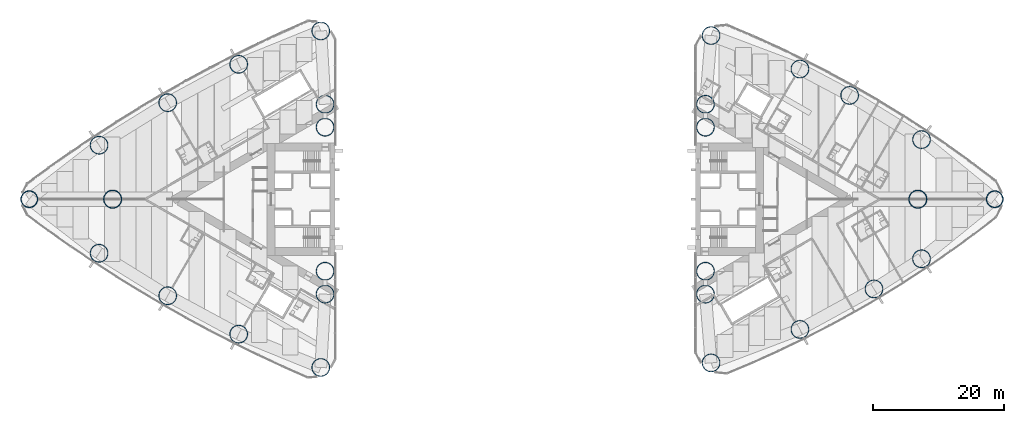
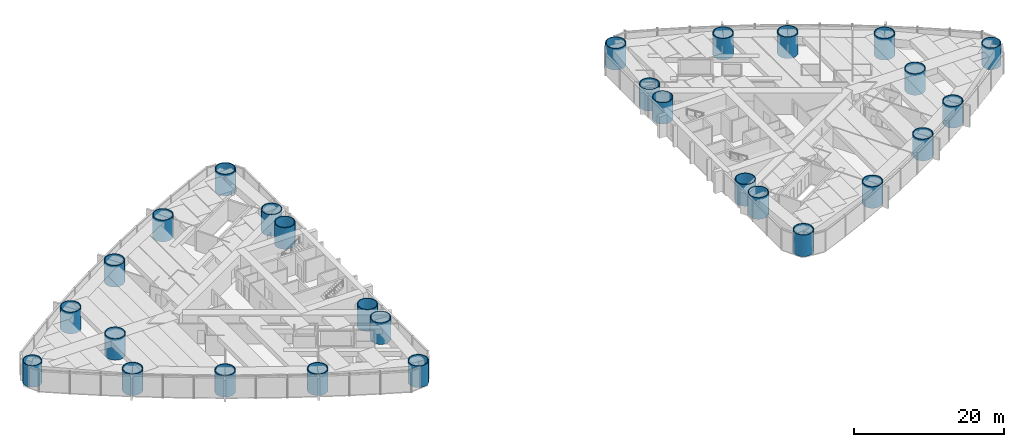
# One storey, part 1 of 19: 28 columns.
"""IFC4 building model written with IfcOpenShell, lengths in metres."""

from ifc_helpers import new_model, si_unit, direction, frame, origin, origin_2d, place, context, subcontext, project, spatial, hollow_circle, extrude, material, material_profile, profile_set, type_object, element, save


model = new_model("IFC4")

# Units and contexts
model_context = context("Model", 3, precision=1e-05, world=origin(), true_north=direction((0.0, 1.0)))
body_context = subcontext(model_context, "Body", "Model", "MODEL_VIEW")
ifc_project = project(units=[si_unit("LENGTHUNIT", "METRE"), si_unit("AREAUNIT", "SQUARE_METRE"), si_unit("VOLUMEUNIT", "CUBIC_METRE"), si_unit("PLANEANGLEUNIT", "RADIAN"), si_unit("MASSUNIT", "GRAM", prefix="KILO")], contexts=[model_context])

# Site, building, storey
site_placement = place(None, origin())
site = spatial("IfcSite", under=ifc_project, at=site_placement, CompositionType="ELEMENT")
building_placement = place(site_placement, origin())
building = spatial("IfcBuilding", under=site, at=building_placement, Name="Lancet Gate Hotel", CompositionType="ELEMENT")
storey_placement = place(building_placement, frame((0.0, 0.0, 21.5)))
storey = spatial("IfcBuildingStorey", under=building, at=storey_placement, Name="L04", CompositionType="ELEMENT", Elevation=21.5)

# Columns
ifc_material_1 = material(Name="Composite filled tube, grade 460 plate, grade 80/95 fill", Category="composite")
ifc_material_profile_1 = material_profile(ifc_material_1, hollow_circle(Radius=1.39990234375, WallThickness=0.10009765625, at=origin_2d()), Name="CHS 2800x100")
ifc_profile_set_1 = profile_set([ifc_material_profile_1], Name="Composite filled tube, grade 460 plate, grade 80/95 fill")
column_type_1 = type_object("IfcColumnType", Name="Apex column CFT CHS 2800x100", PredefinedType="COLUMN", material=ifc_profile_set_1)
for number, where, z_axis, x_axis, name in (
    (1, (-61.5, 0.0, 0.0), (0.0, 0.0, 1.0), (1.0, 0.0, 0.0), "T1 column AX L04"),
    (2, (61.5, 0.0, 0.0), (0.0, 0.0, 1.0), (1.0, 0.0, 0.0), "T2 column AX L04"),
):
    element("IfcColumn", number, at=place(storey_placement, frame(where, z_axis=z_axis, x_axis=x_axis)), inside=storey, type_object=column_type_1, Name=name, PredefinedType="COLUMN", context=body_context, shape_type="SweptSolid", body=[
        extrude(hollow_circle(Radius=1.39990234375, WallThickness=0.10009765625, at=origin_2d()), origin(), (0.0, 0.0, 1.0), 3.5),
    ])
ifc_material_2 = material(Name="Composite filled tube, grade 460 plate, grade 80/95 fill", Category="composite")
ifc_material_profile_2 = material_profile(ifc_material_2, hollow_circle(Radius=1.300048828125, WallThickness=0.10009765625, at=origin_2d()), Name="CHS 2600x100")
ifc_profile_set_2 = profile_set([ifc_material_profile_2], Name="Composite filled tube, grade 460 plate, grade 80/95 fill")
column_type_2 = type_object("IfcColumnType", Name="Apex corner column CFT CHS 2600x100", PredefinedType="COLUMN", material=ifc_profile_set_2)
for number, where, z_axis, x_axis, name in (
    (3, (-74.235107421875, 0.0, 0.0), (0.0, 0.0, 1.0), (1.0, 0.0, 0.0), "T1 column CA L04"),
    (4, (73.2392578125, 0.0, 0.0), (0.0, 0.0, 1.0), (1.0, 0.0, 0.0), "T2 column CA L04"),
):
    element("IfcColumn", number, at=place(storey_placement, frame(where, z_axis=z_axis, x_axis=x_axis)), inside=storey, type_object=column_type_2, Name=name, PredefinedType="COLUMN", context=body_context, shape_type="SweptSolid", body=[
        extrude(hollow_circle(Radius=1.300048828125, WallThickness=0.10009765625, at=origin_2d()), origin(), (0.0, 0.0, 1.0), 3.5),
    ])
ifc_material_3 = material(Name="Composite filled tube, grade 460 plate, grade 80/95 fill", Category="composite")
ifc_material_profile_3 = material_profile(ifc_material_3, hollow_circle(Radius=1.39990234375, WallThickness=0.1201171875, at=origin_2d()), Name="CHS 2800x120")
ifc_profile_set_3 = profile_set([ifc_material_profile_3], Name="Composite filled tube, grade 460 plate, grade 80/95 fill")
column_type_3 = type_object("IfcColumnType", Name="Perimeter column CFT CHS 2800x120", PredefinedType="COLUMN", material=ifc_profile_set_3)
for number, where, z_axis, x_axis, name in (
    (5, (-29.703369140625, -25.70263671875, 0.0), (0.0, 0.0, 1.0), (1.0, 0.0, 0.0), "T1 column CN L04"),
    (6, (-29.703369140625, 25.70263671875, 0.0), (0.0, 0.0, 1.0), (1.0, 0.0, 0.0), "T1 column CS L04"),
    (7, (-29.050048828125, -11.0, 0.0), (0.0, 0.0, 1.0), (1.0, 0.0, 0.0), "T1 column IN L04"),
    (8, (-29.050048828125, 11.0, 0.0), (0.0, 0.0, 1.0), (1.0, 0.0, 0.0), "T1 column IS L04"),
    (9, (-29.050048828125, 14.5, 0.0), (0.0, 0.0, 1.0), (1.0, 0.0, 0.0), "T1 column IT L04"),
    (10, (-29.050048828125, -14.5, 0.0), (0.0, 0.0, 1.0), (1.0, 0.0, 0.0), "T1 column JT L04"),
    (11, (-63.57177734375, -8.255126953125, 0.0), (0.0, 0.0, 1.0), (1.0, 0.0, 0.0), "T1 column ON1 L04"),
    (12, (-53.090087890625, -14.744873046875, 0.0), (0.0, 0.0, 1.0), (1.0, 0.0, 0.0), "T1 column ON2 L04"),
    (13, (-42.2451171875, -20.607421875, 0.0), (0.0, 0.0, 1.0), (1.0, 0.0, 0.0), "T1 column ON3 L04"),
    (14, (-42.2451171875, 20.607421875, 0.0), (0.0, 0.0, 1.0), (1.0, 0.0, 0.0), "T1 column OS1 L04"),
    (15, (-53.090087890625, 14.744873046875, 0.0), (0.0, 0.0, 1.0), (1.0, 0.0, 0.0), "T1 column OS2 L04"),
    (16, (-63.57177734375, 8.255126953125, 0.0), (0.0, 0.0, 1.0), (1.0, 0.0, 0.0), "T1 column OS3 L04"),
    (17, (29.9111328125, 25.00244140625, 0.0), (0.0, 0.0, 1.0), (1.0, 0.0, 0.0), "T2 column CN L04"),
    (18, (29.9111328125, -25.00244140625, 0.0), (0.0, 0.0, 1.0), (1.0, 0.0, 0.0), "T2 column CS L04"),
    (19, (29.050048828125, 11.0, 0.0), (0.0, 0.0, 1.0), (1.0, 0.0, 0.0), "T2 column IN L04"),
    (20, (29.050048828125, -11.0, 0.0), (0.0, 0.0, 1.0), (1.0, 0.0, 0.0), "T2 column IS L04"),
    (21, (29.050048828125, -14.5, 0.0), (0.0, 0.0, 1.0), (1.0, 0.0, 0.0), "T2 column IT L04"),
    (22, (29.050048828125, 14.5, 0.0), (0.0, 0.0, 1.0), (1.0, 0.0, 0.0), "T2 column JT L04"),
    (23, (62.059326171875, 9.10498046875, 0.0), (0.0, 0.0, 1.0), (1.0, 0.0, 0.0), "T2 column ON1 L04"),
    (24, (51.07763671875, 15.8583984375, 0.0), (0.0, 0.0, 1.0), (1.0, 0.0, 0.0), "T2 column ON2 L04"),
    (25, (43.484130859375, 19.886474609375, 0.0), (0.0, 0.0, 1.0), (1.0, 0.0, 0.0), "T2 column ON3 L04"),
    (26, (43.484130859375, -19.886474609375, 0.0), (0.0, 0.0, 1.0), (1.0, 0.0, 0.0), "T2 column OS1 L04"),
    (27, (54.795166015625, -13.70068359375, 0.0), (0.0, 0.0, 1.0), (1.0, 0.0, 0.0), "T2 column OS2 L04"),
    (28, (62.059326171875, -9.10498046875, 0.0), (0.0, 0.0, 1.0), (1.0, 0.0, 0.0), "T2 column OS3 L04"),
):
    element("IfcColumn", number, at=place(storey_placement, frame(where, z_axis=z_axis, x_axis=x_axis)), inside=storey, type_object=column_type_3, Name=name, PredefinedType="COLUMN", context=body_context, shape_type="SweptSolid", body=[
        extrude(hollow_circle(Radius=1.39990234375, WallThickness=0.1201171875, at=origin_2d()), origin(), (0.0, 0.0, 1.0), 3.5),
    ])

save(model, "model.ifc")
